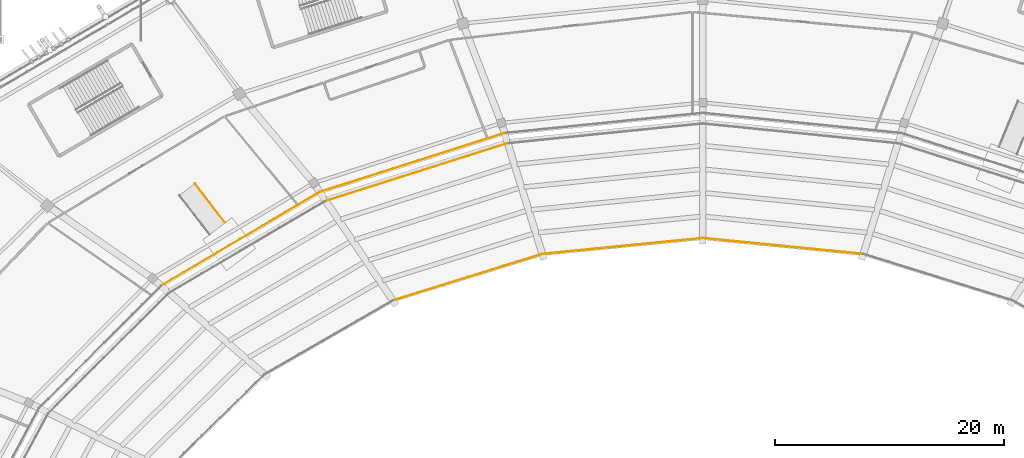
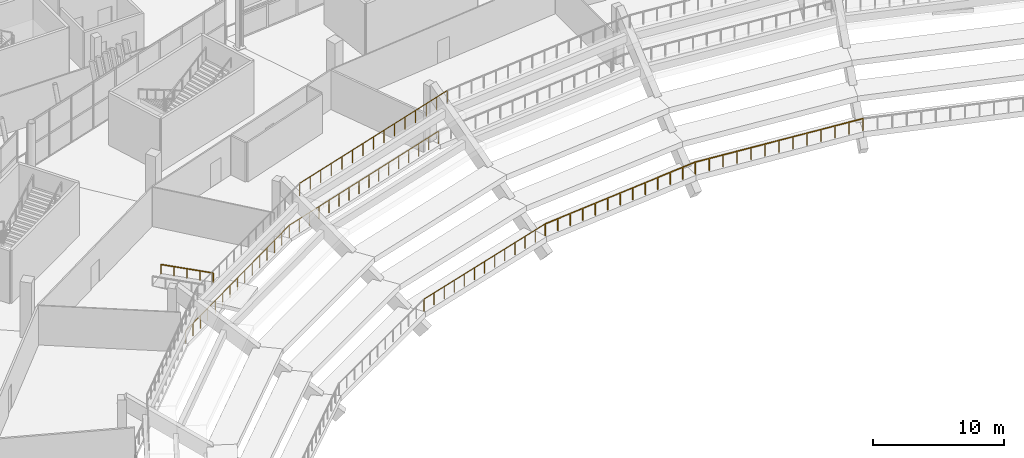
# One storey, part 158 of 178: 7 railings.
"""IFC4 building model written with IfcOpenShell, lengths in metres."""

from ifc_helpers import new_model, si_unit, direction, frame, origin, origin_2d, place, context, subcontext, project, spatial, rectangle, extrude, material, type_object, element, save


model = new_model("IFC4")

# Units and contexts
model_context = context("Model", 3, precision=1e-05, world=origin(), true_north=direction((0.0, 1.0)))
body_context = subcontext(model_context, "Body", "Model", "MODEL_VIEW")
ifc_project = project(units=[si_unit("LENGTHUNIT", "METRE"), si_unit("AREAUNIT", "SQUARE_METRE"), si_unit("VOLUMEUNIT", "CUBIC_METRE"), si_unit("PLANEANGLEUNIT", "RADIAN"), si_unit("MASSUNIT", "GRAM", prefix="KILO")], contexts=[model_context])

# Site, building, storey
site_placement = place(None, origin())
site = spatial("IfcSite", under=ifc_project, at=site_placement, CompositionType="ELEMENT")
building_placement = place(site_placement, origin())
building = spatial("IfcBuilding", under=site, at=building_placement, Name="Zlatoyarsky Gate Stadium", CompositionType="ELEMENT")
storey_placement = place(building_placement, frame((0.0, 0.0, 5.39990234375)))
storey = spatial("IfcBuildingStorey", under=building, at=storey_placement, Name="L01", CompositionType="ELEMENT", Elevation=5.39990234375)

# Railings
ifc_material_1 = material(Name="Galvanised steel sightline guardrail", Category="steel")
railing_type_1 = type_object("IfcRailingType", Name="BOWL FRONT SIGHTLINE GUARDRAIL 1150", PredefinedType="GUARDRAIL", material=ifc_material_1)
railing_1_placement = place(storey_placement, frame((125.01513671875, 119.264892578125, -3.349853515625)))
element("IfcRailing", 1, at=railing_1_placement, inside=storey, type_object=railing_type_1, Name="Lower bowl front guardrail 05", PredefinedType="GUARDRAIL", context=body_context, shape_type="SweptSolid", body=[
    extrude(rectangle(XDim=0.048095703125, YDim=0.048095703125, at=origin_2d()), frame((0.0, 0.0, 1.1259765625), z_axis=(-0.995152540377, 0.098343385039, 0.0), x_axis=(-0.098343385039, -0.995152540377, 0.0)), (0.0, 0.0, 1.0), 14.08349609375),
    extrude(rectangle(XDim=0.0419921875, YDim=0.0419921875, at=origin_2d()), origin(), (0.0, 0.0, 1.0), 1.101806640625),
    extrude(rectangle(XDim=0.0419921875, YDim=0.0419921875, at=origin_2d()), frame((-1.16796875, 0.115478515625, 0.0)), (0.0, 0.0, 1.0), 1.101806640625),
    extrude(rectangle(XDim=0.0419921875, YDim=0.0419921875, at=origin_2d()), frame((-2.3359375, 0.23095703125, 0.0)), (0.0, 0.0, 1.0), 1.101806640625),
    extrude(rectangle(XDim=0.0419921875, YDim=0.0419921875, at=origin_2d()), frame((-3.50390625, 0.34619140625, 0.0)), (0.0, 0.0, 1.0), 1.101806640625),
    extrude(rectangle(XDim=0.0419921875, YDim=0.0419921875, at=origin_2d()), frame((-4.671630859375, 0.461669921875, 0.0)), (0.0, 0.0, 1.0), 1.101806640625),
    extrude(rectangle(XDim=0.0419921875, YDim=0.0419921875, at=origin_2d()), frame((-5.839599609375, 0.5771484375, 0.0)), (0.0, 0.0, 1.0), 1.101806640625),
    extrude(rectangle(XDim=0.0419921875, YDim=0.0419921875, at=origin_2d()), frame((-7.007568359375, 0.6923828125, 0.0)), (0.0, 0.0, 1.0), 1.101806640625),
    extrude(rectangle(XDim=0.0419921875, YDim=0.0419921875, at=origin_2d()), frame((-8.175537109375, 0.807861328125, 0.0)), (0.0, 0.0, 1.0), 1.101806640625),
    extrude(rectangle(XDim=0.0419921875, YDim=0.0419921875, at=origin_2d()), frame((-9.343505859375, 0.92333984375, 0.0)), (0.0, 0.0, 1.0), 1.101806640625),
    extrude(rectangle(XDim=0.0419921875, YDim=0.0419921875, at=origin_2d()), frame((-10.51123046875, 1.038818359375, 0.0)), (0.0, 0.0, 1.0), 1.101806640625),
    extrude(rectangle(XDim=0.0419921875, YDim=0.0419921875, at=origin_2d()), frame((-11.67919921875, 1.154296875, 0.0)), (0.0, 0.0, 1.0), 1.101806640625),
    extrude(rectangle(XDim=0.0419921875, YDim=0.0419921875, at=origin_2d()), frame((-12.84716796875, 1.26953125, 0.0)), (0.0, 0.0, 1.0), 1.101806640625),
    extrude(rectangle(XDim=0.0419921875, YDim=0.0419921875, at=origin_2d()), frame((-14.01513671875, 1.385009765625, 0.0)), (0.0, 0.0, 1.0), 1.101806640625),
])
railing_2_placement = place(storey_placement, frame((111.0, 120.64990234375, -3.349853515625)))
element("IfcRailing", 2, at=railing_2_placement, inside=storey, type_object=railing_type_1, Name="Lower bowl front guardrail 06", PredefinedType="GUARDRAIL", context=body_context, shape_type="SweptSolid", body=[
    extrude(rectangle(XDim=0.048095703125, YDim=0.048095703125, at=origin_2d()), frame((0.0, 0.0, 1.1259765625), z_axis=(-0.995152540377, -0.098343385039, 0.0), x_axis=(0.098343385039, -0.995152540377, 0.0)), (0.0, 0.0, 1.0), 14.08349609375),
    extrude(rectangle(XDim=0.0419921875, YDim=0.0419921875, at=origin_2d()), origin(), (0.0, 0.0, 1.0), 1.101806640625),
    extrude(rectangle(XDim=0.0419921875, YDim=0.0419921875, at=origin_2d()), frame((-1.16796875, -0.115478515625, 0.0)), (0.0, 0.0, 1.0), 1.101806640625),
    extrude(rectangle(XDim=0.0419921875, YDim=0.0419921875, at=origin_2d()), frame((-2.3359375, -0.23095703125, 0.0)), (0.0, 0.0, 1.0), 1.101806640625),
    extrude(rectangle(XDim=0.0419921875, YDim=0.0419921875, at=origin_2d()), frame((-3.50390625, -0.34619140625, 0.0)), (0.0, 0.0, 1.0), 1.101806640625),
    extrude(rectangle(XDim=0.0419921875, YDim=0.0419921875, at=origin_2d()), frame((-4.671630859375, -0.461669921875, 0.0)), (0.0, 0.0, 1.0), 1.101806640625),
    extrude(rectangle(XDim=0.0419921875, YDim=0.0419921875, at=origin_2d()), frame((-5.839599609375, -0.5771484375, 0.0)), (0.0, 0.0, 1.0), 1.101806640625),
    extrude(rectangle(XDim=0.0419921875, YDim=0.0419921875, at=origin_2d()), frame((-7.007568359375, -0.6923828125, 0.0)), (0.0, 0.0, 1.0), 1.101806640625),
    extrude(rectangle(XDim=0.0419921875, YDim=0.0419921875, at=origin_2d()), frame((-8.175537109375, -0.807861328125, 0.0)), (0.0, 0.0, 1.0), 1.101806640625),
    extrude(rectangle(XDim=0.0419921875, YDim=0.0419921875, at=origin_2d()), frame((-9.343505859375, -0.92333984375, 0.0)), (0.0, 0.0, 1.0), 1.101806640625),
    extrude(rectangle(XDim=0.0419921875, YDim=0.0419921875, at=origin_2d()), frame((-10.51123046875, -1.038818359375, 0.0)), (0.0, 0.0, 1.0), 1.101806640625),
    extrude(rectangle(XDim=0.0419921875, YDim=0.0419921875, at=origin_2d()), frame((-11.67919921875, -1.154296875, 0.0)), (0.0, 0.0, 1.0), 1.101806640625),
    extrude(rectangle(XDim=0.0419921875, YDim=0.0419921875, at=origin_2d()), frame((-12.84716796875, -1.26953125, 0.0)), (0.0, 0.0, 1.0), 1.101806640625),
    extrude(rectangle(XDim=0.0419921875, YDim=0.0419921875, at=origin_2d()), frame((-14.01513671875, -1.385009765625, 0.0)), (0.0, 0.0, 1.0), 1.101806640625),
])
railing_3_placement = place(storey_placement, frame((96.98486328125, 119.264892578125, -3.349853515625)))
element("IfcRailing", 3, at=railing_3_placement, inside=storey, type_object=railing_type_1, Name="Lower bowl front guardrail 07", PredefinedType="GUARDRAIL", context=body_context, shape_type="SweptSolid", body=[
    extrude(rectangle(XDim=0.048095703125, YDim=0.048095703125, at=origin_2d()), frame((0.0, 0.0, 1.1259765625), z_axis=(-0.954898625262, -0.296932004797, 0.0), x_axis=(0.296932004797, -0.954898625262, 0.0)), (0.0, 0.0, 1.0), 13.6767578125),
    extrude(rectangle(XDim=0.0419921875, YDim=0.0419921875, at=origin_2d()), origin(), (0.0, 0.0, 1.0), 1.101806640625),
    extrude(rectangle(XDim=0.0419921875, YDim=0.0419921875, at=origin_2d()), frame((-1.08837890625, -0.33837890625, 0.0)), (0.0, 0.0, 1.0), 1.101806640625),
    extrude(rectangle(XDim=0.0419921875, YDim=0.0419921875, at=origin_2d()), frame((-2.1767578125, -0.6767578125, 0.0)), (0.0, 0.0, 1.0), 1.101806640625),
    extrude(rectangle(XDim=0.0419921875, YDim=0.0419921875, at=origin_2d()), frame((-3.264892578125, -1.01513671875, 0.0)), (0.0, 0.0, 1.0), 1.101806640625),
    extrude(rectangle(XDim=0.0419921875, YDim=0.0419921875, at=origin_2d()), frame((-4.353271484375, -1.353759765625, 0.0)), (0.0, 0.0, 1.0), 1.101806640625),
    extrude(rectangle(XDim=0.0419921875, YDim=0.0419921875, at=origin_2d()), frame((-5.441650390625, -1.692138671875, 0.0)), (0.0, 0.0, 1.0), 1.101806640625),
    extrude(rectangle(XDim=0.0419921875, YDim=0.0419921875, at=origin_2d()), frame((-6.52978515625, -2.030517578125, 0.0)), (0.0, 0.0, 1.0), 1.101806640625),
    extrude(rectangle(XDim=0.0419921875, YDim=0.0419921875, at=origin_2d()), frame((-7.6181640625, -2.368896484375, 0.0)), (0.0, 0.0, 1.0), 1.101806640625),
    extrude(rectangle(XDim=0.0419921875, YDim=0.0419921875, at=origin_2d()), frame((-8.70654296875, -2.707275390625, 0.0)), (0.0, 0.0, 1.0), 1.101806640625),
    extrude(rectangle(XDim=0.0419921875, YDim=0.0419921875, at=origin_2d()), frame((-9.794921875, -3.0458984375, 0.0)), (0.0, 0.0, 1.0), 1.101806640625),
    extrude(rectangle(XDim=0.0419921875, YDim=0.0419921875, at=origin_2d()), frame((-10.88330078125, -3.38427734375, 0.0)), (0.0, 0.0, 1.0), 1.101806640625),
    extrude(rectangle(XDim=0.0419921875, YDim=0.0419921875, at=origin_2d()), frame((-11.971435546875, -3.72265625, 0.0)), (0.0, 0.0, 1.0), 1.101806640625),
    extrude(rectangle(XDim=0.0419921875, YDim=0.0419921875, at=origin_2d()), frame((-13.059814453125, -4.06103515625, 0.0)), (0.0, 0.0, 1.0), 1.101806640625),
])
ifc_material_2 = material(Name="Powder-coated steel tubular guardrail", Category="steel")
railing_type_2 = type_object("IfcRailingType", Name="CONCOURSE SLAB EDGE GUARDRAIL 1200", PredefinedType="GUARDRAIL", material=ifc_material_2)
railing_4_placement = place(storey_placement, frame((93.905029296875, 128.924072265625, 4.25)))
element("IfcRailing", 4, at=railing_4_placement, inside=storey, type_object=railing_type_2, Name="Lower bowl back guardrail 07", PredefinedType="GUARDRAIL", context=body_context, shape_type="SweptSolid", body=[
    extrude(rectangle(XDim=0.048095703125, YDim=0.048095703125, at=origin_2d()), frame((0.0, 0.0, 1.17578125), z_axis=(-0.953077784344, -0.302725514269, 0.0), x_axis=(0.302725514269, -0.953077784344, 0.0)), (0.0, 0.0, 1.0), 16.714111328125),
    extrude(rectangle(XDim=0.0419921875, YDim=0.0419921875, at=origin_2d()), origin(), (0.0, 0.0, 1.0), 1.15185546875),
    extrude(rectangle(XDim=0.0419921875, YDim=0.0419921875, at=origin_2d()), frame((-1.137939453125, -0.361328125, 0.0)), (0.0, 0.0, 1.0), 1.15185546875),
    extrude(rectangle(XDim=0.0419921875, YDim=0.0419921875, at=origin_2d()), frame((-2.275634765625, -0.722900390625, 0.0)), (0.0, 0.0, 1.0), 1.15185546875),
    extrude(rectangle(XDim=0.0419921875, YDim=0.0419921875, at=origin_2d()), frame((-3.41357421875, -1.084228515625, 0.0)), (0.0, 0.0, 1.0), 1.15185546875),
    extrude(rectangle(XDim=0.0419921875, YDim=0.0419921875, at=origin_2d()), frame((-4.551513671875, -1.445556640625, 0.0)), (0.0, 0.0, 1.0), 1.15185546875),
    extrude(rectangle(XDim=0.0419921875, YDim=0.0419921875, at=origin_2d()), frame((-5.689208984375, -1.80712890625, 0.0)), (0.0, 0.0, 1.0), 1.15185546875),
    extrude(rectangle(XDim=0.0419921875, YDim=0.0419921875, at=origin_2d()), frame((-6.8271484375, -2.16845703125, 0.0)), (0.0, 0.0, 1.0), 1.15185546875),
    extrude(rectangle(XDim=0.0419921875, YDim=0.0419921875, at=origin_2d()), frame((-7.96484375, -2.52978515625, 0.0)), (0.0, 0.0, 1.0), 1.15185546875),
    extrude(rectangle(XDim=0.0419921875, YDim=0.0419921875, at=origin_2d()), frame((-9.102783203125, -2.891357421875, 0.0)), (0.0, 0.0, 1.0), 1.15185546875),
    extrude(rectangle(XDim=0.0419921875, YDim=0.0419921875, at=origin_2d()), frame((-10.24072265625, -3.252685546875, 0.0)), (0.0, 0.0, 1.0), 1.15185546875),
    extrude(rectangle(XDim=0.0419921875, YDim=0.0419921875, at=origin_2d()), frame((-11.37841796875, -3.6142578125, 0.0)), (0.0, 0.0, 1.0), 1.15185546875),
    extrude(rectangle(XDim=0.0419921875, YDim=0.0419921875, at=origin_2d()), frame((-12.516357421875, -3.9755859375, 0.0)), (0.0, 0.0, 1.0), 1.15185546875),
    extrude(rectangle(XDim=0.0419921875, YDim=0.0419921875, at=origin_2d()), frame((-13.654296875, -4.3369140625, 0.0)), (0.0, 0.0, 1.0), 1.15185546875),
    extrude(rectangle(XDim=0.0419921875, YDim=0.0419921875, at=origin_2d()), frame((-14.7919921875, -4.698486328125, 0.0)), (0.0, 0.0, 1.0), 1.15185546875),
    extrude(rectangle(XDim=0.0419921875, YDim=0.0419921875, at=origin_2d()), frame((-15.929931640625, -5.059814453125, 0.0)), (0.0, 0.0, 1.0), 1.15185546875),
])
railing_5_placement = place(storey_placement, frame((93.664306640625, 129.822509765625, 0.0)))
element("IfcRailing", 5, at=railing_5_placement, inside=storey, type_object=railing_type_2, Name="L01 inner bowl edge guardrail 07", PredefinedType="GUARDRAIL", context=body_context, shape_type="SweptSolid", body=[
    extrude(rectangle(XDim=0.048095703125, YDim=0.048095703125, at=origin_2d()), frame((0.0, 0.0, 1.17578125), z_axis=(-0.952706937482, -0.303890590958, 0.0), x_axis=(0.303890590958, -0.952706937482, 0.0)), (0.0, 0.0, 1.0), 16.956298828125),
    extrude(rectangle(XDim=0.0419921875, YDim=0.0419921875, at=origin_2d()), origin(), (0.0, 0.0, 1.0), 1.15185546875),
    extrude(rectangle(XDim=0.0419921875, YDim=0.0419921875, at=origin_2d()), frame((-1.076904296875, -0.343505859375, 0.0)), (0.0, 0.0, 1.0), 1.15185546875),
    extrude(rectangle(XDim=0.0419921875, YDim=0.0419921875, at=origin_2d()), frame((-2.15380859375, -0.68701171875, 0.0)), (0.0, 0.0, 1.0), 1.15185546875),
    extrude(rectangle(XDim=0.0419921875, YDim=0.0419921875, at=origin_2d()), frame((-3.23095703125, -1.030517578125, 0.0)), (0.0, 0.0, 1.0), 1.15185546875),
    extrude(rectangle(XDim=0.0419921875, YDim=0.0419921875, at=origin_2d()), frame((-4.307861328125, -1.3740234375, 0.0)), (0.0, 0.0, 1.0), 1.15185546875),
    extrude(rectangle(XDim=0.0419921875, YDim=0.0419921875, at=origin_2d()), frame((-5.384765625, -1.717529296875, 0.0)), (0.0, 0.0, 1.0), 1.15185546875),
    extrude(rectangle(XDim=0.0419921875, YDim=0.0419921875, at=origin_2d()), frame((-6.461669921875, -2.06103515625, 0.0)), (0.0, 0.0, 1.0), 1.15185546875),
    extrude(rectangle(XDim=0.0419921875, YDim=0.0419921875, at=origin_2d()), frame((-7.53857421875, -2.404541015625, 0.0)), (0.0, 0.0, 1.0), 1.15185546875),
    extrude(rectangle(XDim=0.0419921875, YDim=0.0419921875, at=origin_2d()), frame((-8.61572265625, -2.748291015625, 0.0)), (0.0, 0.0, 1.0), 1.15185546875),
    extrude(rectangle(XDim=0.0419921875, YDim=0.0419921875, at=origin_2d()), frame((-9.692626953125, -3.091796875, 0.0)), (0.0, 0.0, 1.0), 1.15185546875),
    extrude(rectangle(XDim=0.0419921875, YDim=0.0419921875, at=origin_2d()), frame((-10.76953125, -3.435302734375, 0.0)), (0.0, 0.0, 1.0), 1.15185546875),
    extrude(rectangle(XDim=0.0419921875, YDim=0.0419921875, at=origin_2d()), frame((-11.846435546875, -3.77880859375, 0.0)), (0.0, 0.0, 1.0), 1.15185546875),
    extrude(rectangle(XDim=0.0419921875, YDim=0.0419921875, at=origin_2d()), frame((-12.92333984375, -4.122314453125, 0.0)), (0.0, 0.0, 1.0), 1.15185546875),
    extrude(rectangle(XDim=0.0419921875, YDim=0.0419921875, at=origin_2d()), frame((-14.00048828125, -4.4658203125, 0.0)), (0.0, 0.0, 1.0), 1.15185546875),
    extrude(rectangle(XDim=0.0419921875, YDim=0.0419921875, at=origin_2d()), frame((-15.077392578125, -4.809326171875, 0.0)), (0.0, 0.0, 1.0), 1.15185546875),
    extrude(rectangle(XDim=0.0419921875, YDim=0.0419921875, at=origin_2d()), frame((-16.154296875, -5.15283203125, 0.0)), (0.0, 0.0, 1.0), 1.15185546875),
])
railing_6_placement = place(storey_placement, frame((77.510009765625, 124.669677734375, 0.0)))
element("IfcRailing", 6, at=railing_6_placement, inside=storey, type_object=railing_type_2, Name="L01 inner bowl edge guardrail 08", PredefinedType="GUARDRAIL", context=body_context, shape_type="SweptSolid", body=[
    extrude(rectangle(XDim=0.048095703125, YDim=0.048095703125, at=origin_2d()), frame((0.0, 0.0, 1.17578125), z_axis=(-0.860929544652, -0.508724207351, 0.0), x_axis=(0.508724207351, -0.860929544652, 0.0)), (0.0, 0.0, 1.0), 16.11279296875),
    extrude(rectangle(XDim=0.0419921875, YDim=0.0419921875, at=origin_2d()), origin(), (0.0, 0.0, 1.0), 1.15185546875),
    extrude(rectangle(XDim=0.0419921875, YDim=0.0419921875, at=origin_2d()), frame((-0.990966796875, -0.58544921875, 0.0)), (0.0, 0.0, 1.0), 1.15185546875),
    extrude(rectangle(XDim=0.0419921875, YDim=0.0419921875, at=origin_2d()), frame((-1.981689453125, -1.1708984375, 0.0)), (0.0, 0.0, 1.0), 1.15185546875),
    extrude(rectangle(XDim=0.0419921875, YDim=0.0419921875, at=origin_2d()), frame((-2.97265625, -1.756591796875, 0.0)), (0.0, 0.0, 1.0), 1.15185546875),
    extrude(rectangle(XDim=0.0419921875, YDim=0.0419921875, at=origin_2d()), frame((-3.96337890625, -2.342041015625, 0.0)), (0.0, 0.0, 1.0), 1.15185546875),
    extrude(rectangle(XDim=0.0419921875, YDim=0.0419921875, at=origin_2d()), frame((-4.954345703125, -2.927490234375, 0.0)), (0.0, 0.0, 1.0), 1.15185546875),
    extrude(rectangle(XDim=0.0419921875, YDim=0.0419921875, at=origin_2d()), frame((-5.945068359375, -3.512939453125, 0.0)), (0.0, 0.0, 1.0), 1.15185546875),
    extrude(rectangle(XDim=0.0419921875, YDim=0.0419921875, at=origin_2d()), frame((-6.93603515625, -4.0986328125, 0.0)), (0.0, 0.0, 1.0), 1.15185546875),
    extrude(rectangle(XDim=0.0419921875, YDim=0.0419921875, at=origin_2d()), frame((-7.927001953125, -4.68408203125, 0.0)), (0.0, 0.0, 1.0), 1.15185546875),
    extrude(rectangle(XDim=0.0419921875, YDim=0.0419921875, at=origin_2d()), frame((-8.917724609375, -5.26953125, 0.0)), (0.0, 0.0, 1.0), 1.15185546875),
    extrude(rectangle(XDim=0.0419921875, YDim=0.0419921875, at=origin_2d()), frame((-9.90869140625, -5.85498046875, 0.0)), (0.0, 0.0, 1.0), 1.15185546875),
    extrude(rectangle(XDim=0.0419921875, YDim=0.0419921875, at=origin_2d()), frame((-10.8994140625, -6.4404296875, 0.0)), (0.0, 0.0, 1.0), 1.15185546875),
    extrude(rectangle(XDim=0.0419921875, YDim=0.0419921875, at=origin_2d()), frame((-11.890380859375, -7.026123046875, 0.0)), (0.0, 0.0, 1.0), 1.15185546875),
    extrude(rectangle(XDim=0.0419921875, YDim=0.0419921875, at=origin_2d()), frame((-12.881103515625, -7.611572265625, 0.0)), (0.0, 0.0, 1.0), 1.15185546875),
    extrude(rectangle(XDim=0.0419921875, YDim=0.0419921875, at=origin_2d()), frame((-13.8720703125, -8.197021484375, 0.0)), (0.0, 0.0, 1.0), 1.15185546875),
])
ifc_material_3 = material(Name="Brushed stainless steel 316 handrail", Category="steel")
railing_type_3 = type_object("IfcRailingType", Name="STAINLESS STEEL TUBULAR HANDRAIL 900", PredefinedType="HANDRAIL", material=ifc_material_3)
railing_7_placement = place(storey_placement, frame((66.62646484375, 125.42138671875, 0.0)))
element("IfcRailing", 7, at=railing_7_placement, inside=storey, type_object=railing_type_3, Name="AR-02 accessible ramp handrail L", PredefinedType="HANDRAIL", context=body_context, shape_type="SweptSolid", body=[
    extrude(rectangle(XDim=0.048095703125, YDim=0.048095703125, at=origin_2d()), frame((0.0, 0.0, 0.8759765625), z_axis=(0.606631116135, -0.790631102804, 0.083073149782), x_axis=(0.793373436144, 0.608735238688, 0.0)), (0.0, 0.0, 1.0), 4.334716796875),
    extrude(rectangle(XDim=0.0419921875, YDim=0.0419921875, at=origin_2d()), origin(), (0.0, 0.0, 1.0), 0.851806640625),
    extrude(rectangle(XDim=0.0419921875, YDim=0.0419921875, at=origin_2d()), frame((0.657470703125, -0.85693359375, 0.090087890625)), (0.0, 0.0, 1.0), 0.851806640625),
    extrude(rectangle(XDim=0.0419921875, YDim=0.0419921875, at=origin_2d()), frame((1.31494140625, -1.713623046875, 0.18017578125)), (0.0, 0.0, 1.0), 0.851806640625),
    extrude(rectangle(XDim=0.0419921875, YDim=0.0419921875, at=origin_2d()), frame((1.97216796875, -2.5703125, 0.27001953125)), (0.0, 0.0, 1.0), 0.851806640625),
    extrude(rectangle(XDim=0.0419921875, YDim=0.0419921875, at=origin_2d()), frame((2.629638671875, -3.42724609375, 0.360107421875)), (0.0, 0.0, 1.0), 0.851806640625),
])

save(model, "model.ifc")
